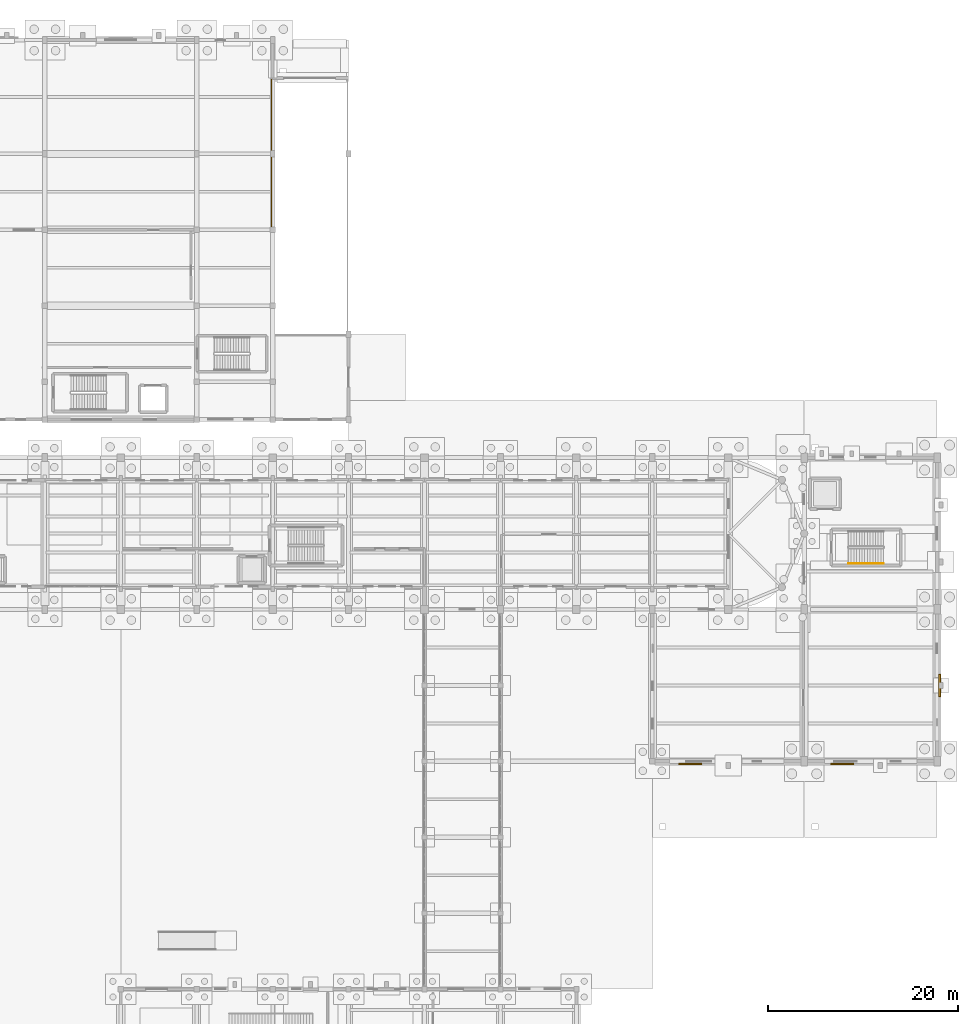
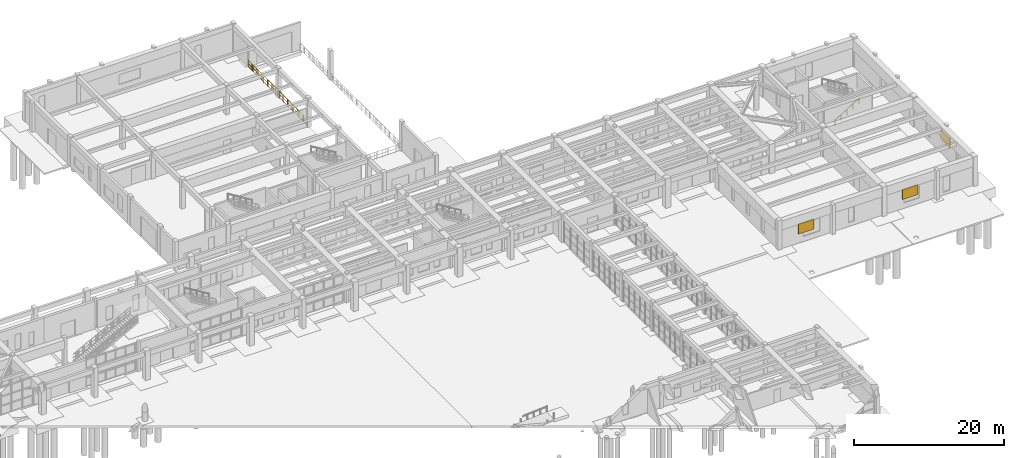
# One storey, part 66 of 68: 3 shading devices, 2 railings.
"""IFC4 building model written with IfcOpenShell, lengths in metres."""

from ifc_helpers import new_model, si_unit, direction, frame, origin, origin_2d, place, context, subcontext, project, spatial, rectangle, extrude, material, layer, layer_set, type_object, element, save


model = new_model("IFC4")

# Units and contexts
model_context = context("Model", 3, precision=1e-05, world=origin(), true_north=direction((0.0, 1.0)))
body_context = subcontext(model_context, "Body", "Model", "MODEL_VIEW")
ifc_project = project(units=[si_unit("LENGTHUNIT", "METRE"), si_unit("AREAUNIT", "SQUARE_METRE"), si_unit("VOLUMEUNIT", "CUBIC_METRE"), si_unit("PLANEANGLEUNIT", "RADIAN"), si_unit("MASSUNIT", "GRAM", prefix="KILO")], contexts=[model_context])

# Site, building, storey
site_placement = place(None, origin())
site = spatial("IfcSite", under=ifc_project, at=site_placement, CompositionType="ELEMENT")
building_placement = place(site_placement, origin())
building = spatial("IfcBuilding", under=site, at=building_placement, Name="Serraluz Foothill Cableway Terminal", CompositionType="ELEMENT")
storey_placement = place(building_placement, origin())
storey = spatial("IfcBuildingStorey", under=building, at=storey_placement, Name="L00", CompositionType="ELEMENT", Elevation=0.0)

# Railings
ifc_material_1 = material(Name="Steel ASTM A572 Grade 50", Category="steel")
ifc_layer_1 = layer(ifc_material_1, 0.054931640625, Name="Steel ASTM A572 Grade 50", Category="steel")
ifc_layer_set_1 = layer_set([ifc_layer_1], Name="Steel ASTM A572 Grade 50")
railing_type_1 = type_object("IfcRailingType", Name="TYP-RL-GRD-1150", PredefinedType="GUARDRAIL", material=ifc_layer_set_1)
railing_1_placement = place(storey_placement, frame((103.8798828125, 96.10009765625, 0.0)))
element("IfcRailing", 1, at=railing_1_placement, inside=storey, type_object=railing_type_1, Name="GUARDRAIL GRD-L00-RAMPW", PredefinedType="GUARDRAIL", context=body_context, shape_type="SweptSolid", body=[
    extrude(rectangle(XDim=0.048095703125, YDim=0.048095703125, at=origin_2d()), frame((0.0, 0.0, 1.1259765625), z_axis=(0.0, 1.0, 0.0), x_axis=(-1.0, 0.0, 0.0)), (0.0, 0.0, 1.0), 15.75),
    extrude(rectangle(XDim=0.048095703125, YDim=0.048095703125, at=origin_2d()), frame((0.0, 0.0, 0.597900390625), z_axis=(0.0, 1.0, 0.0), x_axis=(-1.0, 0.0, 0.0)), (0.0, 0.0, 1.0), 15.75),
    extrude(rectangle(XDim=0.048095703125, YDim=0.048095703125, at=origin_2d()), frame((0.0, 0.0, 0.1201171875), z_axis=(0.0, 1.0, 0.0), x_axis=(-1.0, 0.0, 0.0)), (0.0, 0.0, 1.0), 15.75),
    extrude(rectangle(XDim=0.02001953125, YDim=0.02001953125, at=origin_2d()), frame((0.0, 0.2421875, 0.1201171875)), (0.0, 0.0, 1.0), 0.981689453125),
    extrude(rectangle(XDim=0.02001953125, YDim=0.02001953125, at=origin_2d()), frame((0.0, 0.484619140625, 0.1201171875)), (0.0, 0.0, 1.0), 0.981689453125),
    extrude(rectangle(XDim=0.02001953125, YDim=0.02001953125, at=origin_2d()), frame((0.0, 0.726806640625, 0.1201171875)), (0.0, 0.0, 1.0), 0.981689453125),
    extrude(rectangle(XDim=0.02001953125, YDim=0.02001953125, at=origin_2d()), frame((0.0, 0.96923828125, 0.1201171875)), (0.0, 0.0, 1.0), 0.981689453125),
    extrude(rectangle(XDim=0.02001953125, YDim=0.02001953125, at=origin_2d()), frame((0.0, 1.21142578125, 0.1201171875)), (0.0, 0.0, 1.0), 0.981689453125),
    extrude(rectangle(XDim=0.02001953125, YDim=0.02001953125, at=origin_2d()), frame((0.0, 1.453857421875, 0.1201171875)), (0.0, 0.0, 1.0), 0.981689453125),
    extrude(rectangle(XDim=0.02001953125, YDim=0.02001953125, at=origin_2d()), frame((0.0, 1.696044921875, 0.1201171875)), (0.0, 0.0, 1.0), 0.981689453125),
    extrude(rectangle(XDim=0.02001953125, YDim=0.02001953125, at=origin_2d()), frame((0.0, 1.9384765625, 0.1201171875)), (0.0, 0.0, 1.0), 0.981689453125),
    extrude(rectangle(XDim=0.02001953125, YDim=0.02001953125, at=origin_2d()), frame((0.0, 2.1806640625, 0.1201171875)), (0.0, 0.0, 1.0), 0.981689453125),
    extrude(rectangle(XDim=0.02001953125, YDim=0.02001953125, at=origin_2d()), frame((0.0, 2.423095703125, 0.1201171875)), (0.0, 0.0, 1.0), 0.981689453125),
    extrude(rectangle(XDim=0.02001953125, YDim=0.02001953125, at=origin_2d()), frame((0.0, 2.665283203125, 0.1201171875)), (0.0, 0.0, 1.0), 0.981689453125),
    extrude(rectangle(XDim=0.02001953125, YDim=0.02001953125, at=origin_2d()), frame((0.0, 2.90771484375, 0.1201171875)), (0.0, 0.0, 1.0), 0.981689453125),
    extrude(rectangle(XDim=0.02001953125, YDim=0.02001953125, at=origin_2d()), frame((0.0, 3.392333984375, 0.1201171875)), (0.0, 0.0, 1.0), 0.981689453125),
    extrude(rectangle(XDim=0.02001953125, YDim=0.02001953125, at=origin_2d()), frame((0.0, 3.634521484375, 0.1201171875)), (0.0, 0.0, 1.0), 0.981689453125),
    extrude(rectangle(XDim=0.02001953125, YDim=0.02001953125, at=origin_2d()), frame((0.0, 3.876953125, 0.1201171875)), (0.0, 0.0, 1.0), 0.981689453125),
    extrude(rectangle(XDim=0.02001953125, YDim=0.02001953125, at=origin_2d()), frame((0.0, 4.119140625, 0.1201171875)), (0.0, 0.0, 1.0), 0.981689453125),
    extrude(rectangle(XDim=0.02001953125, YDim=0.02001953125, at=origin_2d()), frame((0.0, 4.361572265625, 0.1201171875)), (0.0, 0.0, 1.0), 0.981689453125),
    extrude(rectangle(XDim=0.02001953125, YDim=0.02001953125, at=origin_2d()), frame((0.0, 4.603759765625, 0.1201171875)), (0.0, 0.0, 1.0), 0.981689453125),
    extrude(rectangle(XDim=0.02001953125, YDim=0.02001953125, at=origin_2d()), frame((0.0, 4.84619140625, 0.1201171875)), (0.0, 0.0, 1.0), 0.981689453125),
    extrude(rectangle(XDim=0.02001953125, YDim=0.02001953125, at=origin_2d()), frame((0.0, 5.08837890625, 0.1201171875)), (0.0, 0.0, 1.0), 0.981689453125),
    extrude(rectangle(XDim=0.02001953125, YDim=0.02001953125, at=origin_2d()), frame((0.0, 5.330810546875, 0.1201171875)), (0.0, 0.0, 1.0), 0.981689453125),
    extrude(rectangle(XDim=0.02001953125, YDim=0.02001953125, at=origin_2d()), frame((0.0, 5.572998046875, 0.1201171875)), (0.0, 0.0, 1.0), 0.981689453125),
    extrude(rectangle(XDim=0.02001953125, YDim=0.02001953125, at=origin_2d()), frame((0.0, 5.8154296875, 0.1201171875)), (0.0, 0.0, 1.0), 0.981689453125),
    extrude(rectangle(XDim=0.02001953125, YDim=0.02001953125, at=origin_2d()), frame((0.0, 6.0576171875, 0.1201171875)), (0.0, 0.0, 1.0), 0.981689453125),
    extrude(rectangle(XDim=0.02001953125, YDim=0.02001953125, at=origin_2d()), frame((0.0, 6.542236328125, 0.1201171875)), (0.0, 0.0, 1.0), 0.981689453125),
    extrude(rectangle(XDim=0.02001953125, YDim=0.02001953125, at=origin_2d()), frame((0.0, 6.78466796875, 0.1201171875)), (0.0, 0.0, 1.0), 0.981689453125),
    extrude(rectangle(XDim=0.02001953125, YDim=0.02001953125, at=origin_2d()), frame((0.0, 7.02685546875, 0.1201171875)), (0.0, 0.0, 1.0), 0.981689453125),
    extrude(rectangle(XDim=0.02001953125, YDim=0.02001953125, at=origin_2d()), frame((0.0, 7.269287109375, 0.1201171875)), (0.0, 0.0, 1.0), 0.981689453125),
    extrude(rectangle(XDim=0.02001953125, YDim=0.02001953125, at=origin_2d()), frame((0.0, 7.511474609375, 0.1201171875)), (0.0, 0.0, 1.0), 0.981689453125),
    extrude(rectangle(XDim=0.02001953125, YDim=0.02001953125, at=origin_2d()), frame((0.0, 7.75390625, 0.1201171875)), (0.0, 0.0, 1.0), 0.981689453125),
    extrude(rectangle(XDim=0.02001953125, YDim=0.02001953125, at=origin_2d()), frame((0.0, 7.99609375, 0.1201171875)), (0.0, 0.0, 1.0), 0.981689453125),
    extrude(rectangle(XDim=0.02001953125, YDim=0.02001953125, at=origin_2d()), frame((0.0, 8.238525390625, 0.1201171875)), (0.0, 0.0, 1.0), 0.981689453125),
    extrude(rectangle(XDim=0.02001953125, YDim=0.02001953125, at=origin_2d()), frame((0.0, 8.480712890625, 0.1201171875)), (0.0, 0.0, 1.0), 0.981689453125),
    extrude(rectangle(XDim=0.02001953125, YDim=0.02001953125, at=origin_2d()), frame((0.0, 8.72314453125, 0.1201171875)), (0.0, 0.0, 1.0), 0.981689453125),
    extrude(rectangle(XDim=0.02001953125, YDim=0.02001953125, at=origin_2d()), frame((0.0, 8.96533203125, 0.1201171875)), (0.0, 0.0, 1.0), 0.981689453125),
    extrude(rectangle(XDim=0.02001953125, YDim=0.02001953125, at=origin_2d()), frame((0.0, 9.207763671875, 0.1201171875)), (0.0, 0.0, 1.0), 0.981689453125),
    extrude(rectangle(XDim=0.02001953125, YDim=0.02001953125, at=origin_2d()), frame((0.0, 9.6923828125, 0.1201171875)), (0.0, 0.0, 1.0), 0.981689453125),
    extrude(rectangle(XDim=0.02001953125, YDim=0.02001953125, at=origin_2d()), frame((0.0, 9.9345703125, 0.1201171875)), (0.0, 0.0, 1.0), 0.981689453125),
    extrude(rectangle(XDim=0.02001953125, YDim=0.02001953125, at=origin_2d()), frame((0.0, 10.177001953125, 0.1201171875)), (0.0, 0.0, 1.0), 0.981689453125),
    extrude(rectangle(XDim=0.02001953125, YDim=0.02001953125, at=origin_2d()), frame((0.0, 10.419189453125, 0.1201171875)), (0.0, 0.0, 1.0), 0.981689453125),
    extrude(rectangle(XDim=0.02001953125, YDim=0.02001953125, at=origin_2d()), frame((0.0, 10.66162109375, 0.1201171875)), (0.0, 0.0, 1.0), 0.981689453125),
    extrude(rectangle(XDim=0.02001953125, YDim=0.02001953125, at=origin_2d()), frame((0.0, 10.90380859375, 0.1201171875)), (0.0, 0.0, 1.0), 0.981689453125),
    extrude(rectangle(XDim=0.02001953125, YDim=0.02001953125, at=origin_2d()), frame((0.0, 11.146240234375, 0.1201171875)), (0.0, 0.0, 1.0), 0.981689453125),
    extrude(rectangle(XDim=0.02001953125, YDim=0.02001953125, at=origin_2d()), frame((0.0, 11.388427734375, 0.1201171875)), (0.0, 0.0, 1.0), 0.981689453125),
    extrude(rectangle(XDim=0.02001953125, YDim=0.02001953125, at=origin_2d()), frame((0.0, 11.630859375, 0.1201171875)), (0.0, 0.0, 1.0), 0.981689453125),
    extrude(rectangle(XDim=0.02001953125, YDim=0.02001953125, at=origin_2d()), frame((0.0, 11.873046875, 0.1201171875)), (0.0, 0.0, 1.0), 0.981689453125),
    extrude(rectangle(XDim=0.02001953125, YDim=0.02001953125, at=origin_2d()), frame((0.0, 12.115478515625, 0.1201171875)), (0.0, 0.0, 1.0), 0.981689453125),
    extrude(rectangle(XDim=0.02001953125, YDim=0.02001953125, at=origin_2d()), frame((0.0, 12.357666015625, 0.1201171875)), (0.0, 0.0, 1.0), 0.981689453125),
    extrude(rectangle(XDim=0.02001953125, YDim=0.02001953125, at=origin_2d()), frame((0.0, 12.84228515625, 0.1201171875)), (0.0, 0.0, 1.0), 0.981689453125),
    extrude(rectangle(XDim=0.02001953125, YDim=0.02001953125, at=origin_2d()), frame((0.0, 13.084716796875, 0.1201171875)), (0.0, 0.0, 1.0), 0.981689453125),
    extrude(rectangle(XDim=0.02001953125, YDim=0.02001953125, at=origin_2d()), frame((0.0, 13.326904296875, 0.1201171875)), (0.0, 0.0, 1.0), 0.981689453125),
    extrude(rectangle(XDim=0.02001953125, YDim=0.02001953125, at=origin_2d()), frame((0.0, 13.5693359375, 0.1201171875)), (0.0, 0.0, 1.0), 0.981689453125),
    extrude(rectangle(XDim=0.02001953125, YDim=0.02001953125, at=origin_2d()), frame((0.0, 13.8115234375, 0.1201171875)), (0.0, 0.0, 1.0), 0.981689453125),
    extrude(rectangle(XDim=0.02001953125, YDim=0.02001953125, at=origin_2d()), frame((0.0, 14.053955078125, 0.1201171875)), (0.0, 0.0, 1.0), 0.981689453125),
    extrude(rectangle(XDim=0.02001953125, YDim=0.02001953125, at=origin_2d()), frame((0.0, 14.296142578125, 0.1201171875)), (0.0, 0.0, 1.0), 0.981689453125),
    extrude(rectangle(XDim=0.02001953125, YDim=0.02001953125, at=origin_2d()), frame((0.0, 14.53857421875, 0.1201171875)), (0.0, 0.0, 1.0), 0.981689453125),
    extrude(rectangle(XDim=0.02001953125, YDim=0.02001953125, at=origin_2d()), frame((0.0, 14.78076171875, 0.1201171875)), (0.0, 0.0, 1.0), 0.981689453125),
    extrude(rectangle(XDim=0.02001953125, YDim=0.02001953125, at=origin_2d()), frame((0.0, 15.023193359375, 0.1201171875)), (0.0, 0.0, 1.0), 0.981689453125),
    extrude(rectangle(XDim=0.02001953125, YDim=0.02001953125, at=origin_2d()), frame((0.0, 15.265380859375, 0.1201171875)), (0.0, 0.0, 1.0), 0.981689453125),
    extrude(rectangle(XDim=0.02001953125, YDim=0.02001953125, at=origin_2d()), frame((0.0, 15.5078125, 0.1201171875)), (0.0, 0.0, 1.0), 0.981689453125),
    extrude(rectangle(XDim=0.0439453125, YDim=0.0439453125, at=origin_2d()), origin(), (0.0, 0.0, 1.0), 1.101806640625),
    extrude(rectangle(XDim=0.0439453125, YDim=0.0439453125, at=origin_2d()), frame((0.0, 1.050048828125, 0.0)), (0.0, 0.0, 1.0), 1.101806640625),
    extrude(rectangle(XDim=0.0439453125, YDim=0.0439453125, at=origin_2d()), frame((0.0, 2.10009765625, 0.0)), (0.0, 0.0, 1.0), 1.101806640625),
    extrude(rectangle(XDim=0.0439453125, YDim=0.0439453125, at=origin_2d()), frame((0.0, 3.14990234375, 0.0)), (0.0, 0.0, 1.0), 1.101806640625),
    extrude(rectangle(XDim=0.0439453125, YDim=0.0439453125, at=origin_2d()), frame((0.0, 4.199951171875, 0.0)), (0.0, 0.0, 1.0), 1.101806640625),
    extrude(rectangle(XDim=0.0439453125, YDim=0.0439453125, at=origin_2d()), frame((0.0, 5.25, 0.0)), (0.0, 0.0, 1.0), 1.101806640625),
    extrude(rectangle(XDim=0.0439453125, YDim=0.0439453125, at=origin_2d()), frame((0.0, 6.300048828125, 0.0)), (0.0, 0.0, 1.0), 1.101806640625),
    extrude(rectangle(XDim=0.0439453125, YDim=0.0439453125, at=origin_2d()), frame((0.0, 7.35009765625, 0.0)), (0.0, 0.0, 1.0), 1.101806640625),
    extrude(rectangle(XDim=0.0439453125, YDim=0.0439453125, at=origin_2d()), frame((0.0, 8.39990234375, 0.0)), (0.0, 0.0, 1.0), 1.101806640625),
    extrude(rectangle(XDim=0.0439453125, YDim=0.0439453125, at=origin_2d()), frame((0.0, 9.449951171875, 0.0)), (0.0, 0.0, 1.0), 1.101806640625),
    extrude(rectangle(XDim=0.0439453125, YDim=0.0439453125, at=origin_2d()), frame((0.0, 10.5, 0.0)), (0.0, 0.0, 1.0), 1.101806640625),
    extrude(rectangle(XDim=0.0439453125, YDim=0.0439453125, at=origin_2d()), frame((0.0, 11.550048828125, 0.0)), (0.0, 0.0, 1.0), 1.101806640625),
    extrude(rectangle(XDim=0.0439453125, YDim=0.0439453125, at=origin_2d()), frame((0.0, 12.60009765625, 0.0)), (0.0, 0.0, 1.0), 1.101806640625),
    extrude(rectangle(XDim=0.0439453125, YDim=0.0439453125, at=origin_2d()), frame((0.0, 13.64990234375, 0.0)), (0.0, 0.0, 1.0), 1.101806640625),
    extrude(rectangle(XDim=0.0439453125, YDim=0.0439453125, at=origin_2d()), frame((0.0, 14.699951171875, 0.0)), (0.0, 0.0, 1.0), 1.101806640625),
    extrude(rectangle(XDim=0.0439453125, YDim=0.0439453125, at=origin_2d()), frame((0.0, 15.75, 0.0)), (0.0, 0.0, 1.0), 1.101806640625),
])
ifc_material_2 = material(Name="Architectural bronze alloy C28000", Category="aluminium")
ifc_layer_2 = layer(ifc_material_2, 0.048095703125, Name="Architectural bronze alloy C28000", Category="aluminium")
ifc_layer_set_2 = layer_set([ifc_layer_2], Name="Architectural bronze alloy C28000")
railing_type_2 = type_object("IfcRailingType", Name="TYP-RL-HND-920", PredefinedType="HANDRAIL", material=ifc_layer_set_2)
railing_2_placement = place(storey_placement, frame((164.659912109375, 60.85009765625, 0.17138671875)))
element("IfcRailing", 2, at=railing_2_placement, inside=storey, type_object=railing_type_2, Name="L00 ST-05 stair handrail 1", PredefinedType="HANDRAIL", context=body_context, shape_type="SweptSolid", body=[
    extrude(rectangle(XDim=0.048095703125, YDim=0.048095703125, at=origin_2d()), frame((0.0, 0.0, 0.8759765625), z_axis=(0.856934400257, 0.0, 0.515425487977), x_axis=(0.0, 1.0, 0.0)), (0.0, 0.0, 1.0), 4.32373046875),
    extrude(rectangle(XDim=0.0439453125, YDim=0.0439453125, at=origin_2d()), origin(), (0.0, 0.0, 1.0), 0.851806640625),
    extrude(rectangle(XDim=0.0439453125, YDim=0.0439453125, at=origin_2d()), frame((0.92626953125, 0.0, 0.55712890625)), (0.0, 0.0, 1.0), 0.851806640625),
    extrude(rectangle(XDim=0.0439453125, YDim=0.0439453125, at=origin_2d()), frame((1.8525390625, 0.0, 1.1142578125)), (0.0, 0.0, 1.0), 0.851806640625),
    extrude(rectangle(XDim=0.0439453125, YDim=0.0439453125, at=origin_2d()), frame((2.77880859375, 0.0, 1.67138671875)), (0.0, 0.0, 1.0), 0.851806640625),
    extrude(rectangle(XDim=0.0439453125, YDim=0.0439453125, at=origin_2d()), frame((3.705078125, 0.0, 2.228515625)), (0.0, 0.0, 1.0), 0.851806640625),
])

# Shading devices
ifc_material_3 = material(Name="Extruded aluminium 6063-T6", Category="aluminium")
shading_device_type = type_object("IfcShadingDeviceType", Name="TYP-SHD-LVR-2400", PredefinedType="SHUTTER", material=ifc_material_3)
for number, where, z_axis, x_axis, name in (
    (3, (148.0, 39.721923828125, 1.599853515625), (0.0, 0.0, 1.0), (1.0, 0.0, 0.0), "Acoustic Intake Louvre SHD-LVR-01"),
    (4, (164.0, 39.721923828125, 1.599853515625), (0.0, 0.0, 1.0), (1.0, 0.0, 0.0), "Acoustic Intake Louvre SHD-LVR-02"),
    (5, (174.278076171875, 48.0, 1.599853515625), (0.0, 0.0, 1.0), (0.0, 1.0, 0.0), "Acoustic Intake Louvre SHD-LVR-03"),
):
    element("IfcShadingDevice", number, at=place(storey_placement, frame(where, z_axis=z_axis, x_axis=x_axis)), inside=storey, type_object=shading_device_type, Name=name, PredefinedType="SHUTTER", context=body_context, shape_type="SweptSolid", body=[
        extrude(rectangle(XDim=2.39990234375, YDim=0.179931640625, at=origin_2d()), origin(), (0.0, 0.0, 1.0), 1.60009765625),
    ])

save(model, "model.ifc")
